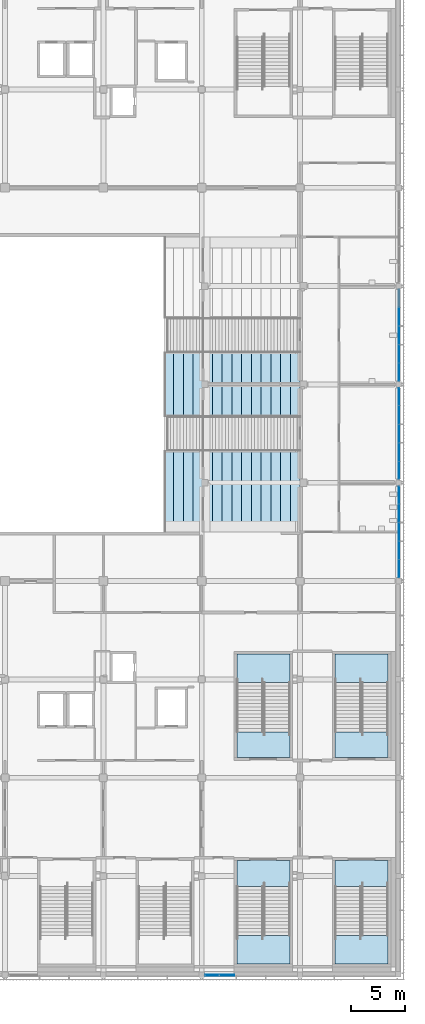
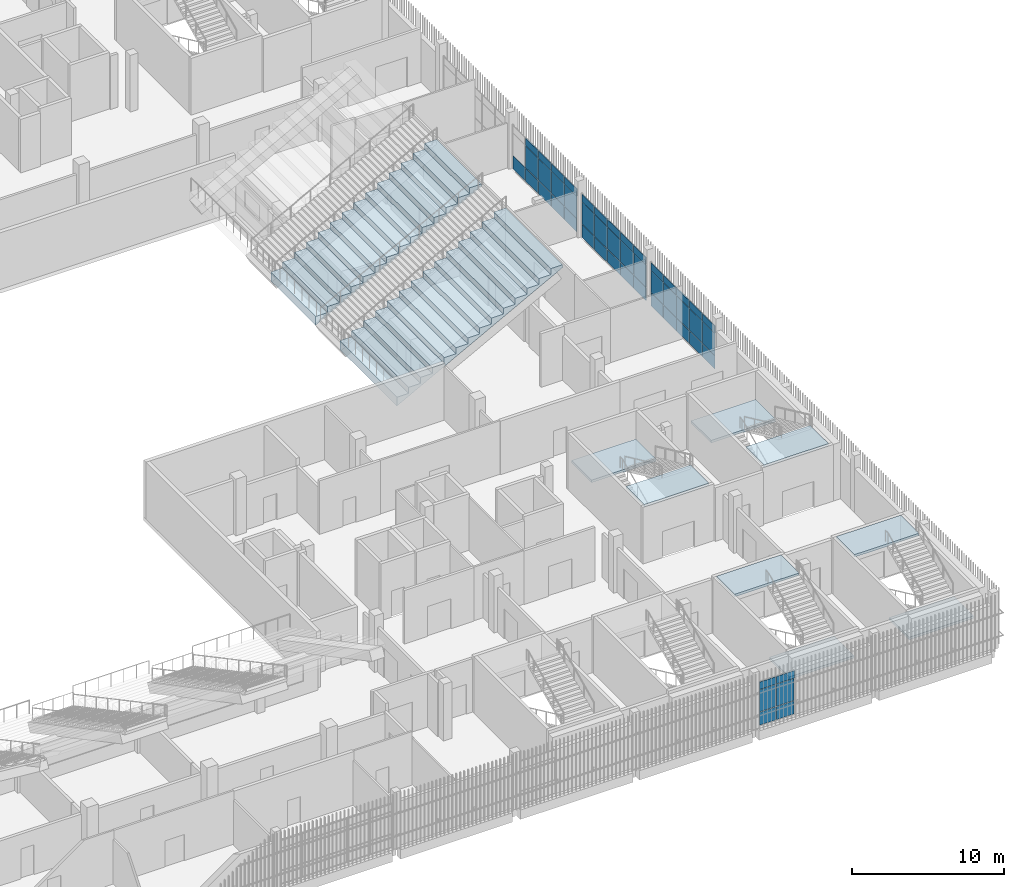
# One storey, part 71 of 139: 49 plates, 10 slabs, 8 elements without a shape of their own.
"""IFC4 building model written with IfcOpenShell, lengths in metres."""

from ifc_helpers import new_model, si_unit, direction, frame, origin, origin_2d, place, context, subcontext, project, spatial, polyline, rectangle, outline, extrude, material, layer, layer_set, type_object, element, aggregate, save


model = new_model("IFC4")

# Units and contexts
model_context = context("Model", 3, precision=1e-05, world=origin(), true_north=direction((0.0, 1.0)))
body_context = subcontext(model_context, "Body", "Model", "MODEL_VIEW")
ifc_project = project(units=[si_unit("LENGTHUNIT", "METRE"), si_unit("AREAUNIT", "SQUARE_METRE"), si_unit("VOLUMEUNIT", "CUBIC_METRE"), si_unit("PLANEANGLEUNIT", "RADIAN"), si_unit("MASSUNIT", "GRAM", prefix="KILO")], contexts=[model_context])

# Site, building, storey
site_placement = place(None, origin())
site = spatial("IfcSite", under=ifc_project, at=site_placement, CompositionType="ELEMENT")
building_placement = place(site_placement, origin())
building = spatial("IfcBuilding", under=site, at=building_placement, Name="Shirokan Park Arena", CompositionType="ELEMENT")
storey_placement = place(building_placement, frame((0.0, 0.0, 15.469970703125)))
storey = spatial("IfcBuildingStorey", under=building, at=storey_placement, Name="L03", CompositionType="ELEMENT", Elevation=15.469970703125)

# Curtain wall, plates
ifc_material_1 = material(Name="Steel and glass curtain wall", Category="steel")
ifc_layer_1 = layer(ifc_material_1, 0.1201171875)
ifc_layer_set_1 = layer_set([ifc_layer_1], Name="Steel and glass curtain wall 120 mm")
curtain_wall_type_1 = type_object("IfcCurtainWallType", Name="Curtain wall corner block side bay 120", PredefinedType="NOTDEFINED", material=ifc_layer_set_1)
curtain_wall_1_placement = place(storey_placement, origin())
curtain_wall_1 = element("IfcCurtainWall", 1, at=curtain_wall_1_placement, inside=storey, type_object=curtain_wall_type_1, Name="Curtain wall south bay 15 L03", PredefinedType="NOTDEFINED")
ifc_material_2 = material(Name="Aluminium sheet", Category="aluminium")
ifc_layer_2 = layer(ifc_material_2, 0.0029296875, Name="Aluminium sheet")
ifc_material_3 = material(Name="Mineral wool insulation")
ifc_layer_3 = layer(ifc_material_3, 0.053955078125, Name="Mineral wool insulation")
ifc_layer_4 = layer(ifc_material_2, 0.0029296875, Name="Aluminium sheet")
ifc_layer_set_2 = layer_set([ifc_layer_2, ifc_layer_3, ifc_layer_4], Name="Aluminium sheet + Mineral wool insulation")
plate_type_1 = type_object("IfcPlateType", Name="Insulated spandrel panel 60", PredefinedType="CURTAIN_PANEL", material=ifc_layer_set_2)
plate_1_placement = place(storey_placement, frame((128.375, -0.090087890625, 2.919921875), z_axis=(0.0, 0.0, 1.0), x_axis=(1.0, 0.0, 0.0)))
plate_1 = element("IfcPlate", 2, at=plate_1_placement, type_object=plate_type_1, Name="CW3 panel 1.3", PredefinedType="CURTAIN_PANEL", context=body_context, shape_type="SweptSolid", body=[
    extrude(rectangle(XDim=1.25, YDim=0.06005859375, at=origin_2d()), origin(), (0.0, 0.0, 1.0), 0.590087890625),
])
plate_2_placement = place(storey_placement, frame((129.72509765625, -0.090087890625, 2.919921875), z_axis=(0.0, 0.0, 1.0), x_axis=(1.0, 0.0, 0.0)))
plate_2 = element("IfcPlate", 3, at=plate_2_placement, type_object=plate_type_1, Name="CW3 panel 2.3", PredefinedType="CURTAIN_PANEL", context=body_context, shape_type="SweptSolid", body=[
    extrude(rectangle(XDim=1.35009765625, YDim=0.06005859375, at=origin_2d()), origin(), (0.0, 0.0, 1.0), 0.590087890625),
])

ifc_layer_5 = layer(ifc_material_1, 0.14990234375)
ifc_layer_set_3 = layer_set([ifc_layer_5], Name="Steel and glass curtain wall 150 mm")
curtain_wall_type_2 = type_object("IfcCurtainWallType", Name="Curtain wall exposed bay 150", PredefinedType="NOTDEFINED", material=ifc_layer_set_3)
curtain_wall_2_placement = place(storey_placement, origin())
curtain_wall_2 = element("IfcCurtainWall", 4, at=curtain_wall_2_placement, inside=storey, type_object=curtain_wall_type_2, Name="Curtain wall east bay 5 L03", PredefinedType="NOTDEFINED")
plate_3_placement = place(storey_placement, frame((145.675048828125, 37.570068359375, 2.919921875), z_axis=(0.0, 0.0, 1.0), x_axis=(0.0, 1.0, 0.0)))
plate_3 = element("IfcPlate", 5, at=plate_3_placement, type_object=plate_type_1, Name="CW1 panel 1.3", PredefinedType="CURTAIN_PANEL", context=body_context, shape_type="SweptSolid", body=[
    extrude(rectangle(XDim=1.590087890625, YDim=0.06005859375, at=origin_2d()), origin(), (0.0, 0.0, 1.0), 0.590087890625),
])
plate_4_placement = place(storey_placement, frame((145.675048828125, 39.24755859375, 2.919921875), z_axis=(0.0, 0.0, 1.0), x_axis=(0.0, 1.0, 0.0)))
plate_4 = element("IfcPlate", 6, at=plate_4_placement, type_object=plate_type_1, Name="CW1 panel 2.3", PredefinedType="CURTAIN_PANEL", context=body_context, shape_type="SweptSolid", body=[
    extrude(rectangle(XDim=1.6650390625, YDim=0.06005859375, at=origin_2d()), origin(), (0.0, 0.0, 1.0), 0.590087890625),
])
plate_5_placement = place(storey_placement, frame((145.675048828125, 40.96240234375, 2.919921875), z_axis=(0.0, 0.0, 1.0), x_axis=(0.0, 1.0, 0.0)))
plate_5 = element("IfcPlate", 7, at=plate_5_placement, type_object=plate_type_1, Name="CW1 panel 3.3", PredefinedType="CURTAIN_PANEL", context=body_context, shape_type="SweptSolid", body=[
    extrude(rectangle(XDim=1.6650390625, YDim=0.06005859375, at=origin_2d()), origin(), (0.0, 0.0, 1.0), 0.590087890625),
])
plate_6_placement = place(storey_placement, frame((145.675048828125, 42.677490234375, 2.919921875), z_axis=(0.0, 0.0, 1.0), x_axis=(0.0, 1.0, 0.0)))
plate_6 = element("IfcPlate", 8, at=plate_6_placement, type_object=plate_type_1, Name="CW1 panel 4.3", PredefinedType="CURTAIN_PANEL", context=body_context, shape_type="SweptSolid", body=[
    extrude(rectangle(XDim=1.6650390625, YDim=0.06005859375, at=origin_2d()), origin(), (0.0, 0.0, 1.0), 0.590087890625),
])
plate_7_placement = place(storey_placement, frame((145.675048828125, 44.35498046875, 2.919921875), z_axis=(0.0, 0.0, 1.0), x_axis=(0.0, 1.0, 0.0)))
plate_7 = element("IfcPlate", 9, at=plate_7_placement, type_object=plate_type_1, Name="CW1 panel 5.3", PredefinedType="CURTAIN_PANEL", context=body_context, shape_type="SweptSolid", body=[
    extrude(rectangle(XDim=1.590087890625, YDim=0.06005859375, at=origin_2d()), origin(), (0.0, 0.0, 1.0), 0.590087890625),
])

curtain_wall_3_placement = place(storey_placement, origin())
curtain_wall_3 = element("IfcCurtainWall", 10, at=curtain_wall_3_placement, inside=storey, type_object=curtain_wall_type_2, Name="Curtain wall east bay 6 L03", PredefinedType="NOTDEFINED")
plate_8_placement = place(storey_placement, frame((145.675048828125, 46.6474609375, 2.919921875), z_axis=(0.0, 0.0, 1.0), x_axis=(0.0, 1.0, 0.0)))
plate_8 = element("IfcPlate", 11, at=plate_8_placement, type_object=plate_type_1, Name="CW1 panel 1.3", PredefinedType="CURTAIN_PANEL", context=body_context, shape_type="SweptSolid", body=[
    extrude(rectangle(XDim=1.594970703125, YDim=0.06005859375, at=origin_2d()), origin(), (0.0, 0.0, 1.0), 0.590087890625),
])
plate_9_placement = place(storey_placement, frame((145.675048828125, 48.330078125, 2.919921875), z_axis=(0.0, 0.0, 1.0), x_axis=(0.0, 1.0, 0.0)))
plate_9 = element("IfcPlate", 12, at=plate_9_placement, type_object=plate_type_1, Name="CW1 panel 2.3", PredefinedType="CURTAIN_PANEL", context=body_context, shape_type="SweptSolid", body=[
    extrude(rectangle(XDim=1.669921875, YDim=0.06005859375, at=origin_2d()), origin(), (0.0, 0.0, 1.0), 0.590087890625),
])
plate_10_placement = place(storey_placement, frame((145.675048828125, 50.050048828125, 2.919921875), z_axis=(0.0, 0.0, 1.0), x_axis=(0.0, 1.0, 0.0)))
plate_10 = element("IfcPlate", 13, at=plate_10_placement, type_object=plate_type_1, Name="CW1 panel 3.3", PredefinedType="CURTAIN_PANEL", context=body_context, shape_type="SweptSolid", body=[
    extrude(rectangle(XDim=1.669921875, YDim=0.06005859375, at=origin_2d()), origin(), (0.0, 0.0, 1.0), 0.590087890625),
])
plate_11_placement = place(storey_placement, frame((145.675048828125, 51.77001953125, 2.919921875), z_axis=(0.0, 0.0, 1.0), x_axis=(0.0, 1.0, 0.0)))
plate_11 = element("IfcPlate", 14, at=plate_11_placement, type_object=plate_type_1, Name="CW1 panel 4.3", PredefinedType="CURTAIN_PANEL", context=body_context, shape_type="SweptSolid", body=[
    extrude(rectangle(XDim=1.669921875, YDim=0.06005859375, at=origin_2d()), origin(), (0.0, 0.0, 1.0), 0.590087890625),
])
plate_12_placement = place(storey_placement, frame((145.675048828125, 53.452392578125, 2.919921875), z_axis=(0.0, 0.0, 1.0), x_axis=(0.0, 1.0, 0.0)))
plate_12 = element("IfcPlate", 15, at=plate_12_placement, type_object=plate_type_1, Name="CW1 panel 5.3", PredefinedType="CURTAIN_PANEL", context=body_context, shape_type="SweptSolid", body=[
    extrude(rectangle(XDim=1.594970703125, YDim=0.06005859375, at=origin_2d()), origin(), (0.0, 0.0, 1.0), 0.590087890625),
])

curtain_wall_4_placement = place(storey_placement, origin())
curtain_wall_4 = element("IfcCurtainWall", 16, at=curtain_wall_4_placement, inside=storey, type_object=curtain_wall_type_2, Name="Curtain wall east bay 7 L03", PredefinedType="NOTDEFINED")
plate_13_placement = place(storey_placement, frame((145.675048828125, 55.74755859375, 2.919921875), z_axis=(0.0, 0.0, 1.0), x_axis=(0.0, 1.0, 0.0)))
plate_13 = element("IfcPlate", 17, at=plate_13_placement, type_object=plate_type_1, Name="CW1 panel 1.3", PredefinedType="CURTAIN_PANEL", context=body_context, shape_type="SweptSolid", body=[
    extrude(rectangle(XDim=1.594970703125, YDim=0.06005859375, at=origin_2d()), origin(), (0.0, 0.0, 1.0), 0.590087890625),
])
plate_14_placement = place(storey_placement, frame((145.675048828125, 57.429931640625, 2.919921875), z_axis=(0.0, 0.0, 1.0), x_axis=(0.0, 1.0, 0.0)))
plate_14 = element("IfcPlate", 18, at=plate_14_placement, type_object=plate_type_1, Name="CW1 panel 2.3", PredefinedType="CURTAIN_PANEL", context=body_context, shape_type="SweptSolid", body=[
    extrude(rectangle(XDim=1.669921875, YDim=0.06005859375, at=origin_2d()), origin(), (0.0, 0.0, 1.0), 0.590087890625),
])
plate_15_placement = place(storey_placement, frame((145.675048828125, 59.14990234375, 2.919921875), z_axis=(0.0, 0.0, 1.0), x_axis=(0.0, 1.0, 0.0)))
plate_15 = element("IfcPlate", 19, at=plate_15_placement, type_object=plate_type_1, Name="CW1 panel 3.3", PredefinedType="CURTAIN_PANEL", context=body_context, shape_type="SweptSolid", body=[
    extrude(rectangle(XDim=1.669921875, YDim=0.06005859375, at=origin_2d()), origin(), (0.0, 0.0, 1.0), 0.590087890625),
])
plate_16_placement = place(storey_placement, frame((145.675048828125, 60.8701171875, 2.919921875), z_axis=(0.0, 0.0, 1.0), x_axis=(0.0, 1.0, 0.0)))
plate_16 = element("IfcPlate", 20, at=plate_16_placement, type_object=plate_type_1, Name="CW1 panel 4.3", PredefinedType="CURTAIN_PANEL", context=body_context, shape_type="SweptSolid", body=[
    extrude(rectangle(XDim=1.669921875, YDim=0.06005859375, at=origin_2d()), origin(), (0.0, 0.0, 1.0), 0.590087890625),
])

# Plate
ifc_material_4 = material(Name="Toughened glass", Category="glass")
ifc_layer_6 = layer(ifc_material_4, 0.012939453125, Name="Toughened glass")
ifc_material_5 = material(Name="Interlayer film")
ifc_layer_7 = layer(ifc_material_5, 0.001953125, Name="Interlayer film")
ifc_layer_8 = layer(ifc_material_4, 0.012939453125, Name="Toughened glass")
ifc_layer_set_4 = layer_set([ifc_layer_6, ifc_layer_7, ifc_layer_8], Name="Toughened glass + Interlayer film")
plate_type_2 = type_object("IfcPlateType", Name="Laminated glass panel 28", PredefinedType="CURTAIN_PANEL", material=ifc_layer_set_4)
plate_17_placement = place(storey_placement, frame((128.375, -0.090087890625, 1.1201171875), z_axis=(0.0, 0.0, 1.0), x_axis=(1.0, 0.0, 0.0)))
plate_17 = element("IfcPlate", 21, at=plate_17_placement, type_object=plate_type_2, Name="CW3 panel 1.2", PredefinedType="CURTAIN_PANEL", context=body_context, shape_type="SweptSolid", body=[
    extrude(rectangle(XDim=1.25, YDim=0.028076171875, at=origin_2d()), origin(), (0.0, 0.0, 1.0), 1.760009765625),
])

plate_18_placement = place(storey_placement, frame((129.72509765625, -0.090087890625, 1.1201171875), z_axis=(0.0, 0.0, 1.0), x_axis=(1.0, 0.0, 0.0)))
plate_18 = element("IfcPlate", 22, at=plate_18_placement, type_object=plate_type_2, Name="CW3 panel 2.2", PredefinedType="CURTAIN_PANEL", context=body_context, shape_type="SweptSolid", body=[
    extrude(rectangle(XDim=1.35009765625, YDim=0.028076171875, at=origin_2d()), origin(), (0.0, 0.0, 1.0), 1.760009765625),
])

plate_19_placement = place(storey_placement, frame((145.675048828125, 37.570068359375, 1.1201171875), z_axis=(0.0, 0.0, 1.0), x_axis=(0.0, 1.0, 0.0)))
plate_19 = element("IfcPlate", 23, at=plate_19_placement, type_object=plate_type_2, Name="CW1 panel 1.2", PredefinedType="CURTAIN_PANEL", context=body_context, shape_type="SweptSolid", body=[
    extrude(rectangle(XDim=1.590087890625, YDim=0.028076171875, at=origin_2d()), origin(), (0.0, 0.0, 1.0), 1.760009765625),
])

plate_20_placement = place(storey_placement, frame((145.675048828125, 39.24755859375, 1.1201171875), z_axis=(0.0, 0.0, 1.0), x_axis=(0.0, 1.0, 0.0)))
plate_20 = element("IfcPlate", 24, at=plate_20_placement, type_object=plate_type_2, Name="CW1 panel 2.2", PredefinedType="CURTAIN_PANEL", context=body_context, shape_type="SweptSolid", body=[
    extrude(rectangle(XDim=1.6650390625, YDim=0.028076171875, at=origin_2d()), origin(), (0.0, 0.0, 1.0), 1.760009765625),
])

plate_21_placement = place(storey_placement, frame((145.675048828125, 40.96240234375, 1.1201171875), z_axis=(0.0, 0.0, 1.0), x_axis=(0.0, 1.0, 0.0)))
plate_21 = element("IfcPlate", 25, at=plate_21_placement, type_object=plate_type_2, Name="CW1 panel 3.2", PredefinedType="CURTAIN_PANEL", context=body_context, shape_type="SweptSolid", body=[
    extrude(rectangle(XDim=1.6650390625, YDim=0.028076171875, at=origin_2d()), origin(), (0.0, 0.0, 1.0), 1.760009765625),
])

plate_22_placement = place(storey_placement, frame((145.675048828125, 42.677490234375, 1.1201171875), z_axis=(0.0, 0.0, 1.0), x_axis=(0.0, 1.0, 0.0)))
plate_22 = element("IfcPlate", 26, at=plate_22_placement, type_object=plate_type_2, Name="CW1 panel 4.2", PredefinedType="CURTAIN_PANEL", context=body_context, shape_type="SweptSolid", body=[
    extrude(rectangle(XDim=1.6650390625, YDim=0.028076171875, at=origin_2d()), origin(), (0.0, 0.0, 1.0), 1.760009765625),
])

plate_23_placement = place(storey_placement, frame((145.675048828125, 44.35498046875, 1.1201171875), z_axis=(0.0, 0.0, 1.0), x_axis=(0.0, 1.0, 0.0)))
plate_23 = element("IfcPlate", 27, at=plate_23_placement, type_object=plate_type_2, Name="CW1 panel 5.2", PredefinedType="CURTAIN_PANEL", context=body_context, shape_type="SweptSolid", body=[
    extrude(rectangle(XDim=1.590087890625, YDim=0.028076171875, at=origin_2d()), origin(), (0.0, 0.0, 1.0), 1.760009765625),
])

plate_24_placement = place(storey_placement, frame((145.675048828125, 46.6474609375, 1.1201171875), z_axis=(0.0, 0.0, 1.0), x_axis=(0.0, 1.0, 0.0)))
plate_24 = element("IfcPlate", 28, at=plate_24_placement, type_object=plate_type_2, Name="CW1 panel 1.2", PredefinedType="CURTAIN_PANEL", context=body_context, shape_type="SweptSolid", body=[
    extrude(rectangle(XDim=1.594970703125, YDim=0.028076171875, at=origin_2d()), origin(), (0.0, 0.0, 1.0), 1.760009765625),
])

plate_25_placement = place(storey_placement, frame((145.675048828125, 48.330078125, 1.1201171875), z_axis=(0.0, 0.0, 1.0), x_axis=(0.0, 1.0, 0.0)))
plate_25 = element("IfcPlate", 29, at=plate_25_placement, type_object=plate_type_2, Name="CW1 panel 2.2", PredefinedType="CURTAIN_PANEL", context=body_context, shape_type="SweptSolid", body=[
    extrude(rectangle(XDim=1.669921875, YDim=0.028076171875, at=origin_2d()), origin(), (0.0, 0.0, 1.0), 1.760009765625),
])

plate_26_placement = place(storey_placement, frame((145.675048828125, 50.050048828125, 1.1201171875), z_axis=(0.0, 0.0, 1.0), x_axis=(0.0, 1.0, 0.0)))
plate_26 = element("IfcPlate", 30, at=plate_26_placement, type_object=plate_type_2, Name="CW1 panel 3.2", PredefinedType="CURTAIN_PANEL", context=body_context, shape_type="SweptSolid", body=[
    extrude(rectangle(XDim=1.669921875, YDim=0.028076171875, at=origin_2d()), origin(), (0.0, 0.0, 1.0), 1.760009765625),
])

plate_27_placement = place(storey_placement, frame((145.675048828125, 51.77001953125, 1.1201171875), z_axis=(0.0, 0.0, 1.0), x_axis=(0.0, 1.0, 0.0)))
plate_27 = element("IfcPlate", 31, at=plate_27_placement, type_object=plate_type_2, Name="CW1 panel 4.2", PredefinedType="CURTAIN_PANEL", context=body_context, shape_type="SweptSolid", body=[
    extrude(rectangle(XDim=1.669921875, YDim=0.028076171875, at=origin_2d()), origin(), (0.0, 0.0, 1.0), 1.760009765625),
])

plate_28_placement = place(storey_placement, frame((145.675048828125, 53.452392578125, 1.1201171875), z_axis=(0.0, 0.0, 1.0), x_axis=(0.0, 1.0, 0.0)))
plate_28 = element("IfcPlate", 32, at=plate_28_placement, type_object=plate_type_2, Name="CW1 panel 5.2", PredefinedType="CURTAIN_PANEL", context=body_context, shape_type="SweptSolid", body=[
    extrude(rectangle(XDim=1.594970703125, YDim=0.028076171875, at=origin_2d()), origin(), (0.0, 0.0, 1.0), 1.760009765625),
])

plate_29_placement = place(storey_placement, frame((145.675048828125, 55.74755859375, 1.1201171875), z_axis=(0.0, 0.0, 1.0), x_axis=(0.0, 1.0, 0.0)))
plate_29 = element("IfcPlate", 33, at=plate_29_placement, type_object=plate_type_2, Name="CW1 panel 1.2", PredefinedType="CURTAIN_PANEL", context=body_context, shape_type="SweptSolid", body=[
    extrude(rectangle(XDim=1.594970703125, YDim=0.028076171875, at=origin_2d()), origin(), (0.0, 0.0, 1.0), 1.760009765625),
])

plate_30_placement = place(storey_placement, frame((145.675048828125, 57.429931640625, 1.1201171875), z_axis=(0.0, 0.0, 1.0), x_axis=(0.0, 1.0, 0.0)))
plate_30 = element("IfcPlate", 34, at=plate_30_placement, type_object=plate_type_2, Name="CW1 panel 2.2", PredefinedType="CURTAIN_PANEL", context=body_context, shape_type="SweptSolid", body=[
    extrude(rectangle(XDim=1.669921875, YDim=0.028076171875, at=origin_2d()), origin(), (0.0, 0.0, 1.0), 1.760009765625),
])

plate_31_placement = place(storey_placement, frame((145.675048828125, 59.14990234375, 1.1201171875), z_axis=(0.0, 0.0, 1.0), x_axis=(0.0, 1.0, 0.0)))
plate_31 = element("IfcPlate", 35, at=plate_31_placement, type_object=plate_type_2, Name="CW1 panel 3.2", PredefinedType="CURTAIN_PANEL", context=body_context, shape_type="SweptSolid", body=[
    extrude(rectangle(XDim=1.669921875, YDim=0.028076171875, at=origin_2d()), origin(), (0.0, 0.0, 1.0), 1.760009765625),
])

plate_32_placement = place(storey_placement, frame((145.675048828125, 60.8701171875, 1.1201171875), z_axis=(0.0, 0.0, 1.0), x_axis=(0.0, 1.0, 0.0)))
plate_32 = element("IfcPlate", 36, at=plate_32_placement, type_object=plate_type_2, Name="CW1 panel 4.2", PredefinedType="CURTAIN_PANEL", context=body_context, shape_type="SweptSolid", body=[
    extrude(rectangle(XDim=1.669921875, YDim=0.028076171875, at=origin_2d()), origin(), (0.0, 0.0, 1.0), 1.760009765625),
])

ifc_layer_9 = layer(ifc_material_4, 0.01708984375, Name="Toughened glass")
ifc_layer_10 = layer(ifc_material_5, 0.001953125, Name="Interlayer film")
ifc_layer_11 = layer(ifc_material_4, 0.01708984375, Name="Toughened glass")
ifc_layer_set_5 = layer_set([ifc_layer_9, ifc_layer_10, ifc_layer_11], Name="Toughened glass + Interlayer film")
plate_type_3 = type_object("IfcPlateType", Name="Laminated safety glass panel 36", PredefinedType="CURTAIN_PANEL", material=ifc_layer_set_5)
plate_33_placement = place(storey_placement, frame((128.375, -0.090087890625, 0.0400390625), z_axis=(0.0, 0.0, 1.0), x_axis=(1.0, 0.0, 0.0)))
plate_33 = element("IfcPlate", 37, at=plate_33_placement, type_object=plate_type_3, Name="CW3 panel 1.1", PredefinedType="CURTAIN_PANEL", context=body_context, shape_type="SweptSolid", body=[
    extrude(rectangle(XDim=1.25, YDim=0.035888671875, at=origin_2d()), origin(), (0.0, 0.0, 1.0), 1.0400390625),
])

plate_34_placement = place(storey_placement, frame((129.72509765625, -0.090087890625, 0.0400390625), z_axis=(0.0, 0.0, 1.0), x_axis=(1.0, 0.0, 0.0)))
plate_34 = element("IfcPlate", 38, at=plate_34_placement, type_object=plate_type_3, Name="CW3 panel 2.1", PredefinedType="CURTAIN_PANEL", context=body_context, shape_type="SweptSolid", body=[
    extrude(rectangle(XDim=1.35009765625, YDim=0.035888671875, at=origin_2d()), origin(), (0.0, 0.0, 1.0), 1.0400390625),
])

aggregate(curtain_wall_1, [plate_33, plate_17, plate_1, plate_34, plate_18, plate_2])

plate_35_placement = place(storey_placement, frame((145.675048828125, 37.570068359375, 0.0400390625), z_axis=(0.0, 0.0, 1.0), x_axis=(0.0, 1.0, 0.0)))
plate_35 = element("IfcPlate", 39, at=plate_35_placement, type_object=plate_type_3, Name="CW1 panel 1.1", PredefinedType="CURTAIN_PANEL", context=body_context, shape_type="SweptSolid", body=[
    extrude(rectangle(XDim=1.590087890625, YDim=0.035888671875, at=origin_2d()), origin(), (0.0, 0.0, 1.0), 1.0400390625),
])

plate_36_placement = place(storey_placement, frame((145.675048828125, 39.24755859375, 0.0400390625), z_axis=(0.0, 0.0, 1.0), x_axis=(0.0, 1.0, 0.0)))
plate_36 = element("IfcPlate", 40, at=plate_36_placement, type_object=plate_type_3, Name="CW1 panel 2.1", PredefinedType="CURTAIN_PANEL", context=body_context, shape_type="SweptSolid", body=[
    extrude(rectangle(XDim=1.6650390625, YDim=0.035888671875, at=origin_2d()), origin(), (0.0, 0.0, 1.0), 1.0400390625),
])

plate_37_placement = place(storey_placement, frame((145.675048828125, 40.96240234375, 0.0400390625), z_axis=(0.0, 0.0, 1.0), x_axis=(0.0, 1.0, 0.0)))
plate_37 = element("IfcPlate", 41, at=plate_37_placement, type_object=plate_type_3, Name="CW1 panel 3.1", PredefinedType="CURTAIN_PANEL", context=body_context, shape_type="SweptSolid", body=[
    extrude(rectangle(XDim=1.6650390625, YDim=0.035888671875, at=origin_2d()), origin(), (0.0, 0.0, 1.0), 1.0400390625),
])

plate_38_placement = place(storey_placement, frame((145.675048828125, 42.677490234375, 0.0400390625), z_axis=(0.0, 0.0, 1.0), x_axis=(0.0, 1.0, 0.0)))
plate_38 = element("IfcPlate", 42, at=plate_38_placement, type_object=plate_type_3, Name="CW1 panel 4.1", PredefinedType="CURTAIN_PANEL", context=body_context, shape_type="SweptSolid", body=[
    extrude(rectangle(XDim=1.6650390625, YDim=0.035888671875, at=origin_2d()), origin(), (0.0, 0.0, 1.0), 1.0400390625),
])

plate_39_placement = place(storey_placement, frame((145.675048828125, 44.35498046875, 0.0400390625), z_axis=(0.0, 0.0, 1.0), x_axis=(0.0, 1.0, 0.0)))
plate_39 = element("IfcPlate", 43, at=plate_39_placement, type_object=plate_type_3, Name="CW1 panel 5.1", PredefinedType="CURTAIN_PANEL", context=body_context, shape_type="SweptSolid", body=[
    extrude(rectangle(XDim=1.590087890625, YDim=0.035888671875, at=origin_2d()), origin(), (0.0, 0.0, 1.0), 1.0400390625),
])

aggregate(curtain_wall_2, [plate_35, plate_19, plate_3, plate_36, plate_20, plate_4, plate_37, plate_21, plate_5, plate_38, plate_22, plate_6, plate_39, plate_23, plate_7])

plate_40_placement = place(storey_placement, frame((145.675048828125, 46.6474609375, 0.0400390625), z_axis=(0.0, 0.0, 1.0), x_axis=(0.0, 1.0, 0.0)))
plate_40 = element("IfcPlate", 44, at=plate_40_placement, type_object=plate_type_3, Name="CW1 panel 1.1", PredefinedType="CURTAIN_PANEL", context=body_context, shape_type="SweptSolid", body=[
    extrude(rectangle(XDim=1.594970703125, YDim=0.035888671875, at=origin_2d()), origin(), (0.0, 0.0, 1.0), 1.0400390625),
])

plate_41_placement = place(storey_placement, frame((145.675048828125, 48.330078125, 0.0400390625), z_axis=(0.0, 0.0, 1.0), x_axis=(0.0, 1.0, 0.0)))
plate_41 = element("IfcPlate", 45, at=plate_41_placement, type_object=plate_type_3, Name="CW1 panel 2.1", PredefinedType="CURTAIN_PANEL", context=body_context, shape_type="SweptSolid", body=[
    extrude(rectangle(XDim=1.669921875, YDim=0.035888671875, at=origin_2d()), origin(), (0.0, 0.0, 1.0), 1.0400390625),
])

plate_42_placement = place(storey_placement, frame((145.675048828125, 50.050048828125, 0.0400390625), z_axis=(0.0, 0.0, 1.0), x_axis=(0.0, 1.0, 0.0)))
plate_42 = element("IfcPlate", 46, at=plate_42_placement, type_object=plate_type_3, Name="CW1 panel 3.1", PredefinedType="CURTAIN_PANEL", context=body_context, shape_type="SweptSolid", body=[
    extrude(rectangle(XDim=1.669921875, YDim=0.035888671875, at=origin_2d()), origin(), (0.0, 0.0, 1.0), 1.0400390625),
])

plate_43_placement = place(storey_placement, frame((145.675048828125, 51.77001953125, 0.0400390625), z_axis=(0.0, 0.0, 1.0), x_axis=(0.0, 1.0, 0.0)))
plate_43 = element("IfcPlate", 47, at=plate_43_placement, type_object=plate_type_3, Name="CW1 panel 4.1", PredefinedType="CURTAIN_PANEL", context=body_context, shape_type="SweptSolid", body=[
    extrude(rectangle(XDim=1.669921875, YDim=0.035888671875, at=origin_2d()), origin(), (0.0, 0.0, 1.0), 1.0400390625),
])

plate_44_placement = place(storey_placement, frame((145.675048828125, 53.452392578125, 0.0400390625), z_axis=(0.0, 0.0, 1.0), x_axis=(0.0, 1.0, 0.0)))
plate_44 = element("IfcPlate", 48, at=plate_44_placement, type_object=plate_type_3, Name="CW1 panel 5.1", PredefinedType="CURTAIN_PANEL", context=body_context, shape_type="SweptSolid", body=[
    extrude(rectangle(XDim=1.594970703125, YDim=0.035888671875, at=origin_2d()), origin(), (0.0, 0.0, 1.0), 1.0400390625),
])

aggregate(curtain_wall_3, [plate_40, plate_24, plate_8, plate_41, plate_25, plate_9, plate_42, plate_26, plate_10, plate_43, plate_27, plate_11, plate_44, plate_28, plate_12])

plate_45_placement = place(storey_placement, frame((145.675048828125, 55.74755859375, 0.0400390625), z_axis=(0.0, 0.0, 1.0), x_axis=(0.0, 1.0, 0.0)))
plate_45 = element("IfcPlate", 49, at=plate_45_placement, type_object=plate_type_3, Name="CW1 panel 1.1", PredefinedType="CURTAIN_PANEL", context=body_context, shape_type="SweptSolid", body=[
    extrude(rectangle(XDim=1.594970703125, YDim=0.035888671875, at=origin_2d()), origin(), (0.0, 0.0, 1.0), 1.0400390625),
])

plate_46_placement = place(storey_placement, frame((145.675048828125, 57.429931640625, 0.0400390625), z_axis=(0.0, 0.0, 1.0), x_axis=(0.0, 1.0, 0.0)))
plate_46 = element("IfcPlate", 50, at=plate_46_placement, type_object=plate_type_3, Name="CW1 panel 2.1", PredefinedType="CURTAIN_PANEL", context=body_context, shape_type="SweptSolid", body=[
    extrude(rectangle(XDim=1.669921875, YDim=0.035888671875, at=origin_2d()), origin(), (0.0, 0.0, 1.0), 1.0400390625),
])

plate_47_placement = place(storey_placement, frame((145.675048828125, 59.14990234375, 0.0400390625), z_axis=(0.0, 0.0, 1.0), x_axis=(0.0, 1.0, 0.0)))
plate_47 = element("IfcPlate", 51, at=plate_47_placement, type_object=plate_type_3, Name="CW1 panel 3.1", PredefinedType="CURTAIN_PANEL", context=body_context, shape_type="SweptSolid", body=[
    extrude(rectangle(XDim=1.669921875, YDim=0.035888671875, at=origin_2d()), origin(), (0.0, 0.0, 1.0), 1.0400390625),
])

plate_48_placement = place(storey_placement, frame((145.675048828125, 60.8701171875, 0.0400390625), z_axis=(0.0, 0.0, 1.0), x_axis=(0.0, 1.0, 0.0)))
plate_48 = element("IfcPlate", 52, at=plate_48_placement, type_object=plate_type_3, Name="CW1 panel 4.1", PredefinedType="CURTAIN_PANEL", context=body_context, shape_type="SweptSolid", body=[
    extrude(rectangle(XDim=1.669921875, YDim=0.035888671875, at=origin_2d()), origin(), (0.0, 0.0, 1.0), 1.0400390625),
])

plate_49_placement = place(storey_placement, frame((145.675048828125, 62.552490234375, 0.0400390625), z_axis=(0.0, 0.0, 1.0), x_axis=(0.0, 1.0, 0.0)))
plate_49 = element("IfcPlate", 53, at=plate_49_placement, type_object=plate_type_3, Name="CW1 panel 5.1", PredefinedType="CURTAIN_PANEL", context=body_context, shape_type="SweptSolid", body=[
    extrude(rectangle(XDim=1.594970703125, YDim=0.035888671875, at=origin_2d()), origin(), (0.0, 0.0, 1.0), 1.0400390625),
])

aggregate(curtain_wall_4, [plate_45, plate_29, plate_13, plate_46, plate_30, plate_14, plate_47, plate_31, plate_15, plate_48, plate_32, plate_16, plate_49])

# Slabs
ifc_material_6 = material(Name="Concrete C35", Category="concrete")
ifc_layer_12 = layer(ifc_material_6, 0.199951171875)
ifc_layer_set_6 = layer_set([ifc_layer_12], Name="Concrete C35 200 mm")
slab_type_1 = type_object("IfcSlabType", Name="RC seating tier upper 200", PredefinedType="USERDEFINED", material=ifc_layer_set_6)
slab_1_placement = place(storey_placement, frame((123.89990234375, 44.699951171875, 2.860107421875), z_axis=(0.0, 0.0, 1.0), x_axis=(1.0, 0.0, 0.0)))
element("IfcSlab", 54, at=slab_1_placement, inside=storey, type_object=slab_type_1, Name="Stand upper E 1", ObjectType="SEATING TIER", PredefinedType="USERDEFINED", context=body_context, shape_type="SweptSolid", body=[
    extrude(outline(polyline([(0.0, 0.0), (0.89990234375, 0.0), (0.89990234375, 0.47998046875), (1.800048828125, 0.47998046875), (1.800048828125, 0.9599609375), (2.699951171875, 0.9599609375), (2.699951171875, 1.43994140625), (3.60009765625, 1.43994140625), (3.60009765625, 1.919921875), (4.5, 1.919921875), (4.5, 2.39990234375), (5.39990234375, 2.39990234375), (5.39990234375, 2.8798828125), (6.300048828125, 2.8798828125), (6.300048828125, 3.360107421875), (7.199951171875, 3.360107421875), (7.199951171875, 3.840087890625), (8.10009765625, 3.840087890625), (8.10009765625, 4.320068359375), (9.0, 4.320068359375), (9.0, 4.800048828125), (9.89990234375, 4.800048828125), (9.89990234375, 5.280029296875), (10.800048828125, 5.280029296875), (10.800048828125, 5.760009765625), (11.699951171875, 5.760009765625), (11.699951171875, 6.239990234375), (12.60009765625, 6.239990234375), (12.60009765625, 6.013427734375), (0.0, -0.706787109375), (0.0, 0.0)])), frame((0.0, 3.75, 0.0), z_axis=(0.0, -1.0, 0.0), x_axis=(1.0, 0.0, 0.0)), (0.0, 0.0, 1.0), 7.5),
])
slab_2_placement = place(storey_placement, frame((123.89990234375, 54.60009765625, 2.860107421875), z_axis=(0.0, 0.0, 1.0), x_axis=(1.0, 0.0, 0.0)))
element("IfcSlab", 55, at=slab_2_placement, inside=storey, type_object=slab_type_1, Name="Stand upper E 2", ObjectType="SEATING TIER", PredefinedType="USERDEFINED", context=body_context, shape_type="SweptSolid", body=[
    extrude(outline(polyline([(0.0, 0.0), (0.89990234375, 0.0), (0.89990234375, 0.47998046875), (1.800048828125, 0.47998046875), (1.800048828125, 0.9599609375), (2.699951171875, 0.9599609375), (2.699951171875, 1.43994140625), (3.60009765625, 1.43994140625), (3.60009765625, 1.919921875), (4.5, 1.919921875), (4.5, 2.39990234375), (5.39990234375, 2.39990234375), (5.39990234375, 2.8798828125), (6.300048828125, 2.8798828125), (6.300048828125, 3.360107421875), (7.199951171875, 3.360107421875), (7.199951171875, 3.840087890625), (8.10009765625, 3.840087890625), (8.10009765625, 4.320068359375), (9.0, 4.320068359375), (9.0, 4.800048828125), (9.89990234375, 4.800048828125), (9.89990234375, 5.280029296875), (10.800048828125, 5.280029296875), (10.800048828125, 5.760009765625), (11.699951171875, 5.760009765625), (11.699951171875, 6.239990234375), (12.60009765625, 6.239990234375), (12.60009765625, 6.013427734375), (0.0, -0.706787109375), (0.0, 0.0)])), frame((0.0, 2.949951171875, 0.0), z_axis=(0.0, -1.0, 0.0), x_axis=(1.0, 0.0, 0.0)), (0.0, 0.0, 1.0), 5.89990234375),
])

# Stair, slabs
ifc_material_7 = material(Name="Concrete C30 precast", Category="concrete")
stair_type = type_object("IfcStairType", Name="Stair 30 risers 152 x 327 2400 wide", PredefinedType="TWO_STRAIGHT_RUN_STAIR", material=ifc_material_7)
stair_1_placement = place(storey_placement, origin())
stair_1 = element("IfcStair", 56, at=stair_1_placement, inside=storey, type_object=stair_type, Name="Exit Stair 2.A L03 to L04", PredefinedType="TWO_STRAIGHT_RUN_STAIR")
ifc_layer_13 = layer(ifc_material_7, 0.199951171875)
ifc_layer_set_7 = layer_set([ifc_layer_13], Name="Concrete C30 precast 200 mm")
slab_type_2 = type_object("IfcSlabType", Name="Stair landing 200", PredefinedType="LANDING", material=ifc_layer_set_7)
slab_3_placement = place(storey_placement, frame((0.0, 0.0, 2.074951171875)))
slab_3 = element("IfcSlab", 57, at=slab_3_placement, type_object=slab_type_2, Name="ST04.4 landing 1", PredefinedType="LANDING", context=body_context, shape_type="SweptSolid", body=[
    extrude(outline(polyline([(139.75, 0.949951171875), (144.64990234375, 0.949951171875), (144.64990234375, 3.576171875), (139.75, 3.576171875), (139.75, 0.949951171875)])), origin(), (0.0, 0.0, 1.0), 0.2001953125),
])
slab_4_placement = place(storey_placement, frame((0.0, 0.0, 4.35009765625)))
slab_4 = element("IfcSlab", 58, at=slab_4_placement, type_object=slab_type_2, Name="ST04.4 landing 2", PredefinedType="LANDING", context=body_context, shape_type="SweptSolid", body=[
    extrude(outline(polyline([(139.75, 8.14990234375), (144.64990234375, 8.14990234375), (144.64990234375, 10.550048828125), (139.75, 10.550048828125), (139.75, 8.14990234375)])), origin(), (0.0, 0.0, 1.0), 0.199951171875),
])
aggregate(stair_1, [slab_3, slab_4])

stair_2_placement = place(storey_placement, origin())
stair_2 = element("IfcStair", 59, at=stair_2_placement, inside=storey, type_object=stair_type, Name="Exit Stair 2.B L03 to L04", PredefinedType="TWO_STRAIGHT_RUN_STAIR")
slab_5_placement = place(storey_placement, frame((0.0, 0.0, 2.074951171875)))
slab_5 = element("IfcSlab", 60, at=slab_5_placement, type_object=slab_type_2, Name="ST05.4 landing 1", PredefinedType="LANDING", context=body_context, shape_type="SweptSolid", body=[
    extrude(outline(polyline([(130.64990234375, 0.949951171875), (135.550048828125, 0.949951171875), (135.550048828125, 3.576171875), (130.64990234375, 3.576171875), (130.64990234375, 0.949951171875)])), origin(), (0.0, 0.0, 1.0), 0.2001953125),
])
slab_6_placement = place(storey_placement, frame((0.0, 0.0, 4.35009765625)))
slab_6 = element("IfcSlab", 61, at=slab_6_placement, type_object=slab_type_2, Name="ST05.4 landing 2", PredefinedType="LANDING", context=body_context, shape_type="SweptSolid", body=[
    extrude(outline(polyline([(130.64990234375, 8.14990234375), (135.550048828125, 8.14990234375), (135.550048828125, 10.550048828125), (130.64990234375, 10.550048828125), (130.64990234375, 8.14990234375)])), origin(), (0.0, 0.0, 1.0), 0.199951171875),
])
aggregate(stair_2, [slab_5, slab_6])

stair_3_placement = place(storey_placement, origin())
stair_3 = element("IfcStair", 62, at=stair_3_placement, inside=storey, type_object=stair_type, Name="Exit Stair 2.E L03 to L04", PredefinedType="TWO_STRAIGHT_RUN_STAIR")
slab_7_placement = place(storey_placement, frame((0.0, 0.0, 2.074951171875)))
slab_7 = element("IfcSlab", 63, at=slab_7_placement, type_object=slab_type_2, Name="ST08.4 landing 1", PredefinedType="LANDING", context=body_context, shape_type="SweptSolid", body=[
    extrude(outline(polyline([(139.75, 27.023681640625), (144.64990234375, 27.023681640625), (144.64990234375, 29.64990234375), (139.75, 29.64990234375), (139.75, 27.023681640625)])), origin(), (0.0, 0.0, 1.0), 0.2001953125),
])
slab_8_placement = place(storey_placement, frame((0.0, 0.0, 4.35009765625)))
slab_8 = element("IfcSlab", 64, at=slab_8_placement, type_object=slab_type_2, Name="ST08.4 landing 2", PredefinedType="LANDING", context=body_context, shape_type="SweptSolid", body=[
    extrude(outline(polyline([(139.75, 20.050048828125), (144.64990234375, 20.050048828125), (144.64990234375, 22.449951171875), (139.75, 22.449951171875), (139.75, 20.050048828125)])), origin(), (0.0, 0.0, 1.0), 0.199951171875),
])
aggregate(stair_3, [slab_7, slab_8])

stair_4_placement = place(storey_placement, origin())
stair_4 = element("IfcStair", 65, at=stair_4_placement, inside=storey, type_object=stair_type, Name="Exit Stair 2.F L03 to L04", PredefinedType="TWO_STRAIGHT_RUN_STAIR")
slab_9_placement = place(storey_placement, frame((0.0, 0.0, 2.074951171875)))
slab_9 = element("IfcSlab", 66, at=slab_9_placement, type_object=slab_type_2, Name="ST09.4 landing 1", PredefinedType="LANDING", context=body_context, shape_type="SweptSolid", body=[
    extrude(outline(polyline([(130.64990234375, 27.023681640625), (135.550048828125, 27.023681640625), (135.550048828125, 29.64990234375), (130.64990234375, 29.64990234375), (130.64990234375, 27.023681640625)])), origin(), (0.0, 0.0, 1.0), 0.2001953125),
])
slab_10_placement = place(storey_placement, frame((0.0, 0.0, 4.35009765625)))
slab_10 = element("IfcSlab", 67, at=slab_10_placement, type_object=slab_type_2, Name="ST09.4 landing 2", PredefinedType="LANDING", context=body_context, shape_type="SweptSolid", body=[
    extrude(outline(polyline([(130.64990234375, 20.050048828125), (135.550048828125, 20.050048828125), (135.550048828125, 22.449951171875), (130.64990234375, 22.449951171875), (130.64990234375, 20.050048828125)])), origin(), (0.0, 0.0, 1.0), 0.199951171875),
])
aggregate(stair_4, [slab_9, slab_10])

save(model, "model.ifc")
